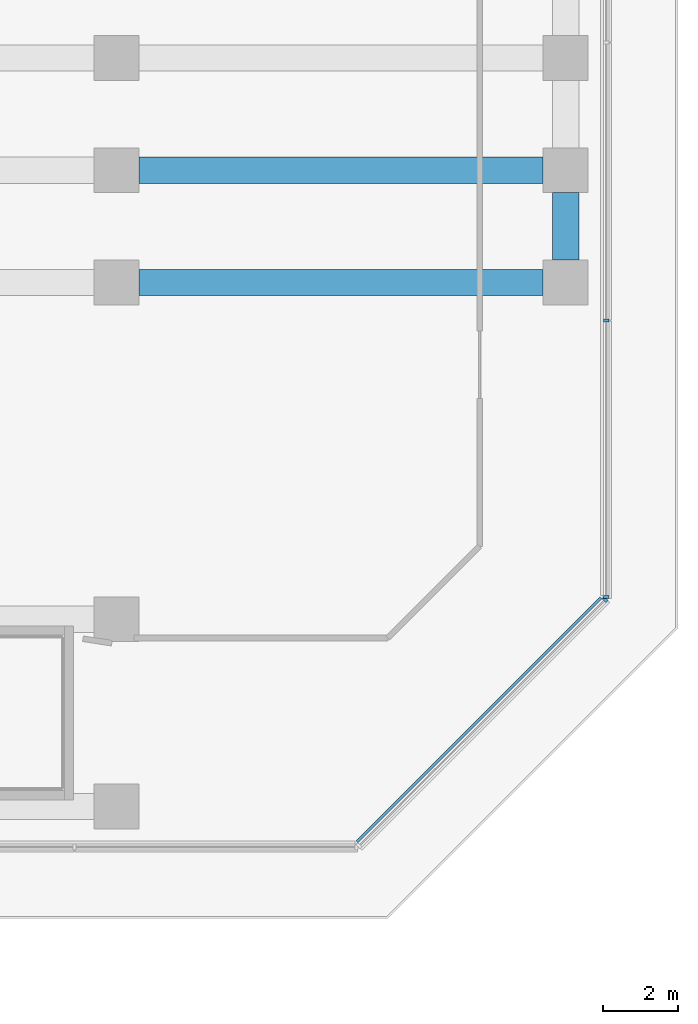
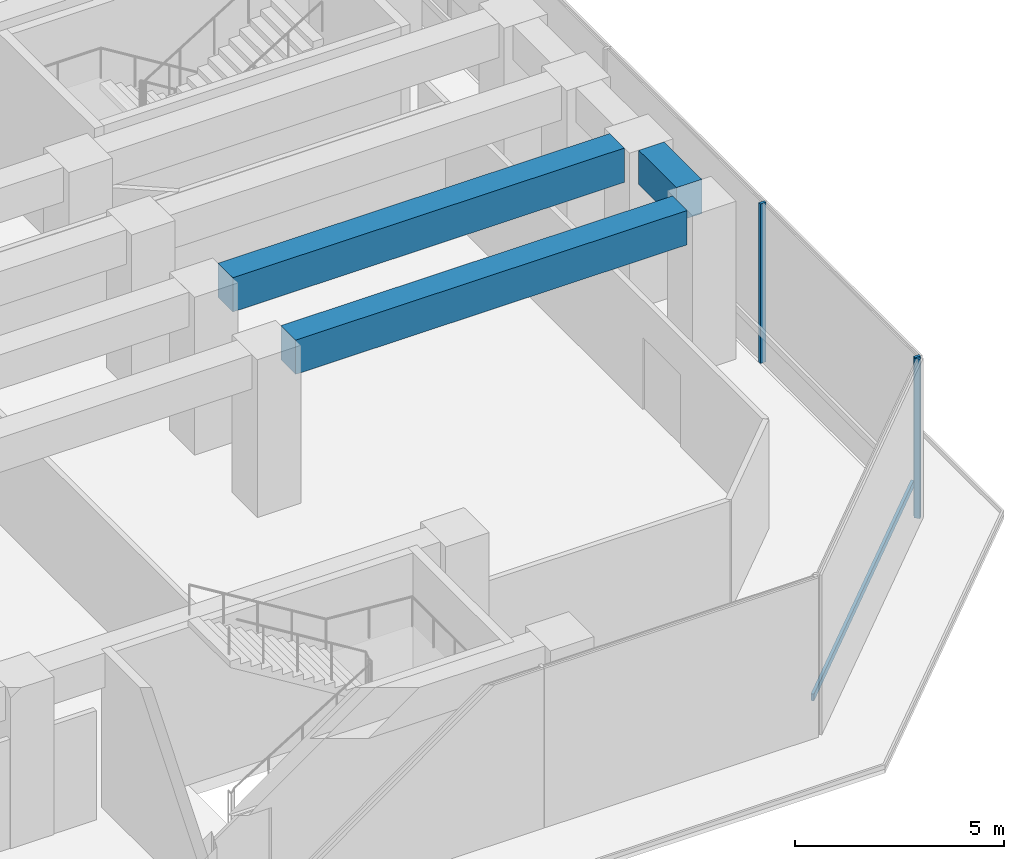
# One storey, part 12 of 40: 4 members, 3 beams, 2 elements without a shape of their own.
"""IFC4 building model written with IfcOpenShell, lengths in metres."""

from ifc_helpers import new_model, si_unit, direction, frame, origin, origin_2d, place, context, subcontext, project, spatial, rectangle, extrude, material, layer, layer_set, material_profile, profile_set, type_object, element, aggregate, save


model = new_model("IFC4")

# Units and contexts
model_context = context("Model", 3, precision=1e-05, world=origin(), true_north=direction((0.0, 1.0)))
body_context = subcontext(model_context, "Body", "Model", "MODEL_VIEW")
ifc_project = project(units=[si_unit("LENGTHUNIT", "METRE"), si_unit("AREAUNIT", "SQUARE_METRE"), si_unit("VOLUMEUNIT", "CUBIC_METRE"), si_unit("PLANEANGLEUNIT", "RADIAN"), si_unit("MASSUNIT", "GRAM", prefix="KILO")], contexts=[model_context])

# Site, building, storey
site_placement = place(None, origin())
site = spatial("IfcSite", under=ifc_project, at=site_placement, CompositionType="ELEMENT")
building_placement = place(site_placement, origin())
building = spatial("IfcBuilding", under=site, at=building_placement, Name="Welwitschia Terrace Campus", CompositionType="ELEMENT")
storey_placement = place(building_placement, frame((0.0, 0.0, 6.0)))
storey = spatial("IfcBuildingStorey", under=building, at=storey_placement, Name="L01", CompositionType="ELEMENT", Elevation=6.0)

# Beams
ifc_material_1 = material(Name="Concrete C60/75", Category="concrete")
ifc_material_profile_1 = material_profile(ifc_material_1, rectangle(XDim=0.699951171875, YDim=1.0, at=origin_2d()))
ifc_profile_set_1 = profile_set([ifc_material_profile_1], Name="Concrete C60/75")
beam_type = type_object("IfcBeamType", Name="Base block beam 700x1000", PredefinedType="BEAM", material=ifc_profile_set_1)
for number, where, z_axis, x_axis, name in (
    (1, (84.6005859375, 5.0, 4.10009765625), (1.0, 0.0, 0.0), (0.0, 1.0, 0.0), "Beam BB1"),
    (2, (84.6005859375, 8.0, 4.10009765625), (1.0, 0.0, 0.0), (0.0, 1.0, 0.0), "Beam BB1"),
):
    element("IfcBeam", number, at=place(storey_placement, frame(where, z_axis=z_axis, x_axis=x_axis)), inside=storey, type_object=beam_type, Name=name, PredefinedType="BEAM", context=body_context, shape_type="SweptSolid", body=[
        extrude(rectangle(XDim=0.699951171875, YDim=1.0, at=origin_2d()), origin(), (0.0, 0.0, 1.0), 10.798828125),
    ])
beam_placement = place(storey_placement, frame((96.0, 5.6005859375, 4.10009765625), z_axis=(0.0, 1.0, 0.0), x_axis=(-1.0, 0.0, 0.0)))
element("IfcBeam", 3, at=beam_placement, inside=storey, type_object=beam_type, Name="Beam BB1", PredefinedType="BEAM", context=body_context, shape_type="SweptSolid", body=[
    extrude(rectangle(XDim=0.699951171875, YDim=1.0, at=origin_2d()), origin(), (0.0, 0.0, 1.0), 1.798828125),
])

# Curtain wall, member
ifc_material_2 = material(Name="Bronze anodised aluminium", Category="aluminium")
ifc_layer = layer(ifc_material_2, 0.14990234375)
ifc_layer_set = layer_set([ifc_layer], Name="Bronze anodised aluminium")
curtain_wall_type = type_object("IfcCurtainWallType", Name="Curtain wall CW1 podium 7500", PredefinedType="NOTDEFINED", material=ifc_layer_set)
curtain_wall_1_placement = place(storey_placement, origin())
curtain_wall_1 = element("IfcCurtainWall", 4, at=curtain_wall_1_placement, inside=storey, type_object=curtain_wall_type, Name="CW L01.1.0", PredefinedType="NOTDEFINED")
ifc_material_3 = material(Name="Bronze anodised aluminium", Category="aluminium")
ifc_material_profile_2 = material_profile(ifc_material_3, rectangle(XDim=0.14990234375, YDim=0.080078125, at=origin_2d()))
ifc_profile_set_2 = profile_set([ifc_material_profile_2], Name="Bronze anodised aluminium")
member_type_1 = type_object("IfcMemberType", Name="Mullion 80x150", PredefinedType="MULLION", material=ifc_profile_set_2)
member_1_placement = place(storey_placement, frame((97.056640625, -3.477783203125, 0.0), z_axis=(0.0, 0.0, 1.0), x_axis=(-0.707106781187, 0.707106781187, 0.0)))
member_1 = element("IfcMember", 5, at=member_1_placement, type_object=member_type_1, Name="Mullion L01.1.0.1", PredefinedType="MULLION", context=body_context, shape_type="SweptSolid", body=[
    extrude(rectangle(XDim=0.14990234375, YDim=0.080078125, at=origin_2d()), origin(), (0.0, 0.0, 1.0), 4.64990234375),
])

# Curtain wall, members
curtain_wall_2_placement = place(storey_placement, origin())
curtain_wall_2 = element("IfcCurtainWall", 6, at=curtain_wall_2_placement, inside=storey, type_object=curtain_wall_type, Name="CW L01.2.0", PredefinedType="NOTDEFINED")
member_2_placement = place(storey_placement, frame((97.0849609375, -3.409423828125, 0.0), z_axis=(0.0, 0.0, 1.0), x_axis=(-1.0, 0.0, 0.0)))
member_2 = element("IfcMember", 7, at=member_2_placement, type_object=member_type_1, Name="Mullion L01.2.0.0", PredefinedType="MULLION", context=body_context, shape_type="SweptSolid", body=[
    extrude(rectangle(XDim=0.14990234375, YDim=0.080078125, at=origin_2d()), origin(), (0.0, 0.0, 1.0), 4.64990234375),
])
member_3_placement = place(storey_placement, frame((97.0849609375, 3.98388671875, 0.0), z_axis=(0.0, 0.0, 1.0), x_axis=(-1.0, 0.0, 0.0)))
member_3 = element("IfcMember", 8, at=member_3_placement, type_object=member_type_1, Name="Mullion L01.2.0.1", PredefinedType="MULLION", context=body_context, shape_type="SweptSolid", body=[
    extrude(rectangle(XDim=0.14990234375, YDim=0.080078125, at=origin_2d()), origin(), (0.0, 0.0, 1.0), 4.64990234375),
])
aggregate(curtain_wall_2, [member_2, member_3])

# Member
ifc_material_4 = material(Name="Bronze anodised aluminium", Category="aluminium")
ifc_material_profile_3 = material_profile(ifc_material_4, rectangle(XDim=0.080078125, YDim=0.199951171875, at=origin_2d()))
ifc_profile_set_3 = profile_set([ifc_material_profile_3], Name="Bronze anodised aluminium")
member_type_2 = type_object("IfcMemberType", Name="Transom 80x200", PredefinedType="USERDEFINED", material=ifc_profile_set_3)
member_4_placement = place(storey_placement, frame((90.424560546875, -9.947021484375, 1.0), z_axis=(0.707106781187, 0.707106781187, 0.0), x_axis=(-0.707106781187, 0.707106781187, 0.0)))
member_4 = element("IfcMember", 9, at=member_4_placement, type_object=member_type_2, Name="Transom L01.1.0", ObjectType="TRANSOM", PredefinedType="USERDEFINED", context=body_context, shape_type="SweptSolid", body=[
    extrude(rectangle(XDim=0.080078125, YDim=0.199951171875, at=origin_2d()), origin(), (0.0, 0.0, 1.0), 9.22412109375),
])

aggregate(curtain_wall_1, [member_1, member_4])

save(model, "model.ifc")
